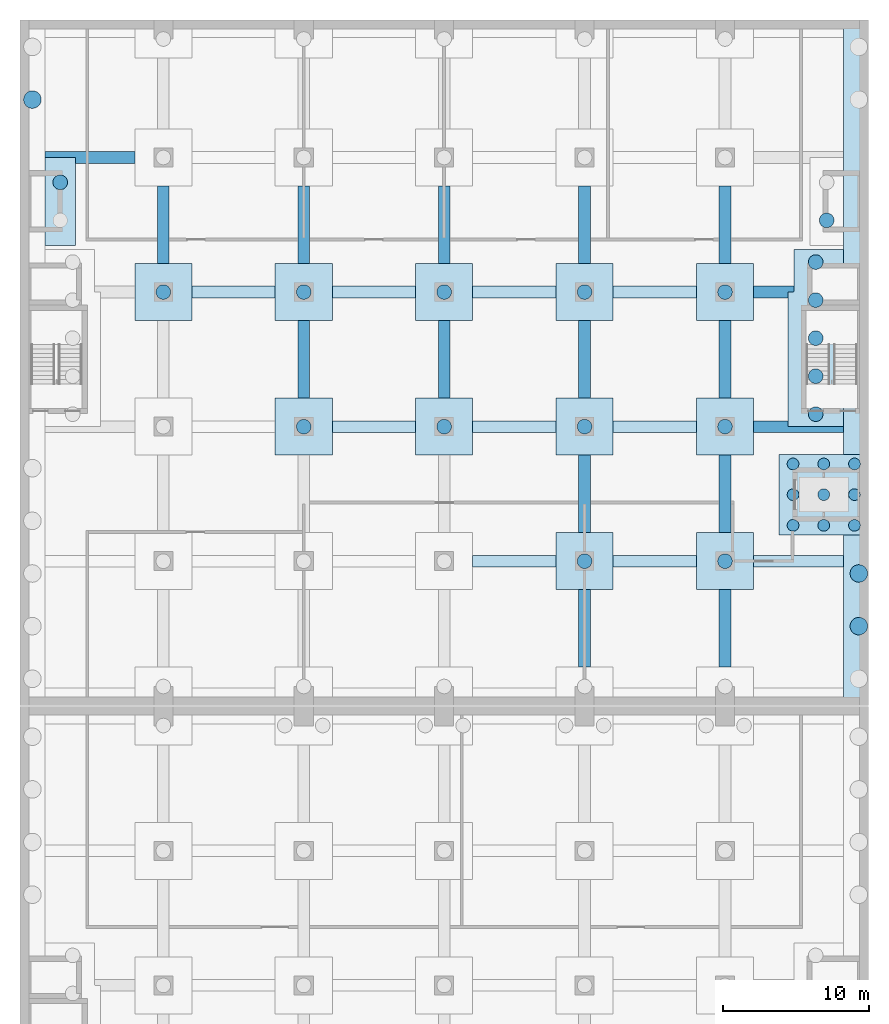
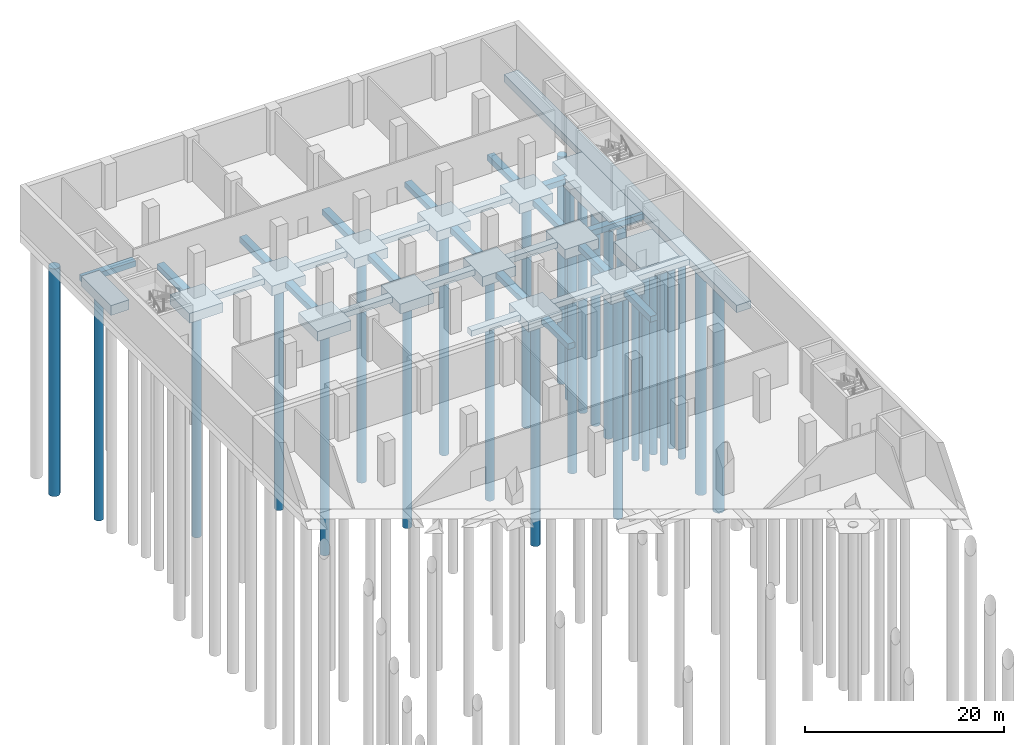
# One storey, part 7 of 33: 41 footings, 30 piles.
"""IFC4 building model written with IfcOpenShell, lengths in metres."""

from ifc_helpers import new_model, si_unit, direction, frame, origin, origin_2d, place, context, subcontext, project, spatial, polyline, circle, outline, extrude, material, layer, layer_set, material_profile, profile_set, type_object, element, save


model = new_model("IFC4")

# Units and contexts
model_context = context("Model", 3, precision=1e-05, world=origin(), true_north=direction((0.0, 1.0)))
body_context = subcontext(model_context, "Body", "Model", "MODEL_VIEW")
ifc_project = project(units=[si_unit("LENGTHUNIT", "METRE"), si_unit("AREAUNIT", "SQUARE_METRE"), si_unit("VOLUMEUNIT", "CUBIC_METRE"), si_unit("PLANEANGLEUNIT", "RADIAN"), si_unit("MASSUNIT", "GRAM", prefix="KILO")], contexts=[model_context])

# Site, building, storey
site_placement = place(None, origin())
site = spatial("IfcSite", under=ifc_project, at=site_placement, CompositionType="ELEMENT")
building_placement = place(site_placement, origin())
building = spatial("IfcBuilding", under=site, at=building_placement, Name="Nzadi Deep Aquarium and Research Tower", CompositionType="ELEMENT")
storey_placement = place(building_placement, frame((0.0, 0.0, -5.5)))
storey = spatial("IfcBuildingStorey", under=building, at=storey_placement, Name="B1", CompositionType="ELEMENT", Elevation=-5.5)

# Piles
ifc_material_1 = material(Name="Concrete C40/50", Category="concrete")
ifc_material_profile_1 = material_profile(ifc_material_1, circle(Radius=0.5, at=origin_2d()))
ifc_profile_set_1 = profile_set([ifc_material_profile_1], Name="Concrete C40/50")
pile_type_1 = type_object("IfcPileType", Name="Bored pile D1000", PredefinedType="BORED", material=ifc_profile_set_1)
for number, where, z_axis, x_axis, name in (
    (1, (38.39990234375, 104.0, -1.699951171875), (0.0, 0.0, -1.0), (1.0, 0.0, 0.0), "P-Z3-09-1"),
    (2, (48.0, 104.0, -1.699951171875), (0.0, 0.0, -1.0), (1.0, 0.0, 0.0), "P-Z3-10-1"),
    (3, (19.199951171875, 113.2001953125, -1.699951171875), (0.0, 0.0, -1.0), (1.0, 0.0, 0.0), "P-Z3-12-1"),
    (4, (28.800048828125, 113.2001953125, -1.699951171875), (0.0, 0.0, -1.0), (1.0, 0.0, 0.0), "P-Z3-13-1"),
    (5, (38.39990234375, 113.2001953125, -1.699951171875), (0.0, 0.0, -1.0), (1.0, 0.0, 0.0), "P-Z3-14-1"),
    (6, (48.0, 113.2001953125, -1.699951171875), (0.0, 0.0, -1.0), (1.0, 0.0, 0.0), "P-Z3-15-1"),
    (7, (54.199951171875, 114.050048828125, -1.699951171875), (0.0, 0.0, -1.0), (1.0, 0.0, 0.0), "P-Z3-17-1"),
    (8, (54.199951171875, 116.64990234375, -1.699951171875), (0.0, 0.0, -1.0), (1.0, 0.0, 0.0), "P-Z3-17-2"),
    (9, (54.199951171875, 119.25, -1.699951171875), (0.0, 0.0, -1.0), (1.0, 0.0, 0.0), "P-Z3-17-3"),
    (10, (54.199951171875, 121.85009765625, -1.699951171875), (0.0, 0.0, -1.0), (1.0, 0.0, 0.0), "P-Z3-17-4"),
    (11, (54.199951171875, 124.449951171875, -1.699951171875), (0.0, 0.0, -1.0), (1.0, 0.0, 0.0), "P-Z3-17-5"),
    (12, (9.60009765625, 122.400146484375, -1.699951171875), (0.0, 0.0, -1.0), (1.0, 0.0, 0.0), "P-Z3-18-1"),
    (13, (19.199951171875, 122.400146484375, -1.699951171875), (0.0, 0.0, -1.0), (1.0, 0.0, 0.0), "P-Z3-19-1"),
    (14, (28.800048828125, 122.400146484375, -1.699951171875), (0.0, 0.0, -1.0), (1.0, 0.0, 0.0), "P-Z3-20-1"),
    (15, (38.39990234375, 122.400146484375, -1.699951171875), (0.0, 0.0, -1.0), (1.0, 0.0, 0.0), "P-Z3-21-1"),
    (16, (48.0, 122.400146484375, -1.699951171875), (0.0, 0.0, -1.0), (1.0, 0.0, 0.0), "P-Z3-22-1"),
    (17, (2.550048828125, 129.89990234375, -1.699951171875), (0.0, 0.0, -1.0), (1.0, 0.0, 0.0), "P-Z3-23-2"),
    (18, (54.949951171875, 127.300048828125, -1.699951171875), (0.0, 0.0, -1.0), (1.0, 0.0, 0.0), "P-Z3-24-1"),
):
    element("IfcPile", number, at=place(storey_placement, frame(where, z_axis=z_axis, x_axis=x_axis)), inside=storey, type_object=pile_type_1, Name=name, PredefinedType="BORED", context=body_context, shape_type="SweptSolid", body=[
        extrude(circle(Radius=0.5, at=origin_2d()), origin(), (0.0, 0.0, 1.0), 28.0),
    ])
ifc_material_2 = material(Name="Concrete C40/50", Category="concrete")
ifc_material_profile_2 = material_profile(ifc_material_2, circle(Radius=0.60009765625, at=origin_2d()))
ifc_profile_set_2 = profile_set([ifc_material_profile_2], Name="Concrete C40/50")
pile_type_2 = type_object("IfcPileType", Name="Bored pile D1200", PredefinedType="BORED", material=ifc_profile_set_2)
for number, where, z_axis, x_axis, name in (
    (19, (0.64990234375, 135.56005859375, -1.39990234375), (0.0, 0.0, -1.0), (1.0, 0.0, 0.0), "P-Z3-Z3-W-6"),
    (20, (57.14990234375, 99.56005859375, -1.39990234375), (0.0, 0.0, -1.0), (1.0, 0.0, 0.0), "P-Z3-Z3-E-2"),
    (21, (57.14990234375, 103.159912109375, -1.39990234375), (0.0, 0.0, -1.0), (1.0, 0.0, 0.0), "P-Z3-Z3-E-3"),
):
    element("IfcPile", number, at=place(storey_placement, frame(where, z_axis=z_axis, x_axis=x_axis)), inside=storey, type_object=pile_type_2, Name=name, PredefinedType="BORED", context=body_context, shape_type="SweptSolid", body=[
        extrude(circle(Radius=0.60009765625, at=origin_2d()), origin(), (0.0, 0.0, 1.0), 28.0),
    ])
ifc_material_3 = material(Name="Concrete C40/50", Category="concrete")
ifc_material_profile_3 = material_profile(ifc_material_3, circle(Radius=0.39990234375, at=origin_2d()))
ifc_profile_set_3 = profile_set([ifc_material_profile_3], Name="Concrete C40/50")
pile_type_3 = type_object("IfcPileType", Name="Bored pile D800", PredefinedType="BORED", material=ifc_profile_set_3)
for number, where, z_axis, x_axis, name in (
    (22, (52.64990234375, 106.449951171875, -3.0), (0.0, 0.0, -1.0), (1.0, 0.0, 0.0), "P-Z3-GL2-1"),
    (23, (52.64990234375, 108.550048828125, -3.0), (0.0, 0.0, -1.0), (1.0, 0.0, 0.0), "P-Z3-GL2-2"),
    (24, (52.64990234375, 110.64990234375, -3.0), (0.0, 0.0, -1.0), (1.0, 0.0, 0.0), "P-Z3-GL2-3"),
    (25, (54.75, 106.449951171875, -3.0), (0.0, 0.0, -1.0), (1.0, 0.0, 0.0), "P-Z3-GL2-4"),
    (26, (54.75, 108.550048828125, -3.0), (0.0, 0.0, -1.0), (1.0, 0.0, 0.0), "P-Z3-GL2-5"),
    (27, (54.75, 110.64990234375, -3.0), (0.0, 0.0, -1.0), (1.0, 0.0, 0.0), "P-Z3-GL2-6"),
    (28, (56.85009765625, 106.449951171875, -3.0), (0.0, 0.0, -1.0), (1.0, 0.0, 0.0), "P-Z3-GL2-7"),
    (29, (56.85009765625, 108.550048828125, -3.0), (0.0, 0.0, -1.0), (1.0, 0.0, 0.0), "P-Z3-GL2-8"),
    (30, (56.85009765625, 110.64990234375, -3.0), (0.0, 0.0, -1.0), (1.0, 0.0, 0.0), "P-Z3-GL2-9"),
):
    element("IfcPile", number, at=place(storey_placement, frame(where, z_axis=z_axis, x_axis=x_axis)), inside=storey, type_object=pile_type_3, Name=name, PredefinedType="BORED", context=body_context, shape_type="SweptSolid", body=[
        extrude(circle(Radius=0.39990234375, at=origin_2d()), origin(), (0.0, 0.0, 1.0), 24.0),
    ])

# Footings
ifc_material_4 = material(Name="Concrete C40/50", Category="concrete")
ifc_layer_1 = layer(ifc_material_4, 0.699951171875)
ifc_layer_set_1 = layer_set([ifc_layer_1], Name="Concrete C40/50")
footing_type_1 = type_object("IfcFootingType", Name="RC ground beam 700", PredefinedType="FOOTING_BEAM", material=ifc_layer_set_1)
footing_1_placement = place(storey_placement, frame((0.0, 0.0, -1.300048828125)))
element("IfcFooting", 31, at=footing_1_placement, inside=storey, type_object=footing_type_1, Name="SF-Z3-TX14-4", PredefinedType="FOOTING_BEAM", context=body_context, shape_type="SweptSolid", body=[
    extrude(outline(polyline([(36.449951171875, 104.39990234375), (30.75, 104.39990234375), (30.75, 103.60009765625), (36.449951171875, 103.60009765625), (36.449951171875, 104.39990234375)])), origin(), (0.0, 0.0, 1.0), 0.699951171875),
])
footing_2_placement = place(storey_placement, frame((0.0, 0.0, -1.300048828125)))
element("IfcFooting", 32, at=footing_2_placement, inside=storey, type_object=footing_type_1, Name="SF-Z3-TX14-5", PredefinedType="FOOTING_BEAM", context=body_context, shape_type="SweptSolid", body=[
    extrude(outline(polyline([(46.050048828125, 104.39990234375), (40.35009765625, 104.39990234375), (40.35009765625, 103.60009765625), (46.050048828125, 103.60009765625), (46.050048828125, 104.39990234375)])), origin(), (0.0, 0.0, 1.0), 0.699951171875),
])
footing_3_placement = place(storey_placement, frame((0.0, 0.0, -1.300048828125)))
element("IfcFooting", 33, at=footing_3_placement, inside=storey, type_object=footing_type_1, Name="SF-Z3-TX14-6", PredefinedType="FOOTING_BEAM", context=body_context, shape_type="SweptSolid", body=[
    extrude(outline(polyline([(56.10009765625, 103.60009765625), (56.10009765625, 104.39990234375), (49.949951171875, 104.39990234375), (49.949951171875, 103.60009765625), (56.10009765625, 103.60009765625)])), origin(), (0.0, 0.0, 1.0), 0.699951171875),
])
footing_4_placement = place(storey_placement, frame((0.0, 0.0, -1.300048828125)))
element("IfcFooting", 34, at=footing_4_placement, inside=storey, type_object=footing_type_1, Name="SF-Z3-TX15-3", PredefinedType="FOOTING_BEAM", context=body_context, shape_type="SweptSolid", body=[
    extrude(outline(polyline([(26.85009765625, 113.60009765625), (21.14990234375, 113.60009765625), (21.14990234375, 112.800048828125), (26.85009765625, 112.800048828125), (26.85009765625, 113.60009765625)])), origin(), (0.0, 0.0, 1.0), 0.699951171875),
])
footing_5_placement = place(storey_placement, frame((0.0, 0.0, -1.300048828125)))
element("IfcFooting", 35, at=footing_5_placement, inside=storey, type_object=footing_type_1, Name="SF-Z3-TX15-4", PredefinedType="FOOTING_BEAM", context=body_context, shape_type="SweptSolid", body=[
    extrude(outline(polyline([(36.449951171875, 113.60009765625), (30.75, 113.60009765625), (30.75, 112.800048828125), (36.449951171875, 112.800048828125), (36.449951171875, 113.60009765625)])), origin(), (0.0, 0.0, 1.0), 0.699951171875),
])
footing_6_placement = place(storey_placement, frame((0.0, 0.0, -1.300048828125)))
element("IfcFooting", 36, at=footing_6_placement, inside=storey, type_object=footing_type_1, Name="SF-Z3-TX15-5", PredefinedType="FOOTING_BEAM", context=body_context, shape_type="SweptSolid", body=[
    extrude(outline(polyline([(46.050048828125, 113.60009765625), (40.35009765625, 113.60009765625), (40.35009765625, 112.800048828125), (46.050048828125, 112.800048828125), (46.050048828125, 113.60009765625)])), origin(), (0.0, 0.0, 1.0), 0.699951171875),
])
footing_7_placement = place(storey_placement, frame((0.0, 0.0, -1.300048828125)))
element("IfcFooting", 37, at=footing_7_placement, inside=storey, type_object=footing_type_1, Name="SF-Z3-TX15-6", PredefinedType="FOOTING_BEAM", context=body_context, shape_type="SweptSolid", body=[
    extrude(outline(polyline([(56.10009765625, 112.800048828125), (56.10009765625, 113.201171875), (56.099853515625, 113.199951171875), (56.098876953125, 113.199951171875), (52.30126953125, 113.199951171875), (52.300048828125, 113.199951171875), (52.300048828125, 113.201171875), (52.300048828125, 113.60009765625), (49.949951171875, 113.60009765625), (49.949951171875, 112.800048828125), (56.10009765625, 112.800048828125)])), origin(), (0.0, 0.0, 1.0), 0.699951171875),
])
footing_8_placement = place(storey_placement, frame((0.0, 0.0, -1.300048828125)))
element("IfcFooting", 38, at=footing_8_placement, inside=storey, type_object=footing_type_1, Name="SF-Z3-TX16-2", PredefinedType="FOOTING_BEAM", context=body_context, shape_type="SweptSolid", body=[
    extrude(outline(polyline([(17.25, 122.800048828125), (11.550048828125, 122.800048828125), (11.550048828125, 122.0), (17.25, 122.0), (17.25, 122.800048828125)])), origin(), (0.0, 0.0, 1.0), 0.699951171875),
])
footing_9_placement = place(storey_placement, frame((0.0, 0.0, -1.300048828125)))
element("IfcFooting", 39, at=footing_9_placement, inside=storey, type_object=footing_type_1, Name="SF-Z3-TX16-3", PredefinedType="FOOTING_BEAM", context=body_context, shape_type="SweptSolid", body=[
    extrude(outline(polyline([(26.85009765625, 122.800048828125), (21.14990234375, 122.800048828125), (21.14990234375, 122.0), (26.85009765625, 122.0), (26.85009765625, 122.800048828125)])), origin(), (0.0, 0.0, 1.0), 0.699951171875),
])
footing_10_placement = place(storey_placement, frame((0.0, 0.0, -1.300048828125)))
element("IfcFooting", 40, at=footing_10_placement, inside=storey, type_object=footing_type_1, Name="SF-Z3-TX16-4", PredefinedType="FOOTING_BEAM", context=body_context, shape_type="SweptSolid", body=[
    extrude(outline(polyline([(36.449951171875, 122.800048828125), (30.75, 122.800048828125), (30.75, 122.0), (36.449951171875, 122.0), (36.449951171875, 122.800048828125)])), origin(), (0.0, 0.0, 1.0), 0.699951171875),
])
footing_11_placement = place(storey_placement, frame((0.0, 0.0, -1.300048828125)))
element("IfcFooting", 41, at=footing_11_placement, inside=storey, type_object=footing_type_1, Name="SF-Z3-TX16-5", PredefinedType="FOOTING_BEAM", context=body_context, shape_type="SweptSolid", body=[
    extrude(outline(polyline([(46.050048828125, 122.800048828125), (40.35009765625, 122.800048828125), (40.35009765625, 122.0), (46.050048828125, 122.0), (46.050048828125, 122.800048828125)])), origin(), (0.0, 0.0, 1.0), 0.699951171875),
])
footing_12_placement = place(storey_placement, frame((0.0, 0.0, -1.300048828125)))
element("IfcFooting", 42, at=footing_12_placement, inside=storey, type_object=footing_type_1, Name="SF-Z3-TX16-6", PredefinedType="FOOTING_BEAM", context=body_context, shape_type="SweptSolid", body=[
    extrude(outline(polyline([(52.699951171875, 122.800048828125), (49.949951171875, 122.800048828125), (49.949951171875, 122.0), (52.300048828125, 122.0), (52.300048828125, 122.398681640625), (52.300048828125, 122.39990234375), (52.30126953125, 122.39990234375), (52.64990234375, 122.39990234375), (52.65478515625, 122.400146484375), (52.65966796875, 122.40087890625), (52.66455078125, 122.402099609375), (52.669189453125, 122.40380859375), (52.673583984375, 122.406005859375), (52.677734375, 122.408447265625), (52.681640625, 122.411376953125), (52.685302734375, 122.41455078125), (52.688720703125, 122.418212890625), (52.691650390625, 122.422119140625), (52.694091796875, 122.426513671875), (52.6962890625, 122.430908203125), (52.69775390625, 122.435546875), (52.698974609375, 122.440185546875), (52.69970703125, 122.445068359375), (52.699951171875, 122.449951171875), (52.699951171875, 122.800048828125)])), origin(), (0.0, 0.0, 1.0), 0.699951171875),
])
footing_13_placement = place(storey_placement, frame((0.0, 0.0, -1.300048828125)))
element("IfcFooting", 43, at=footing_13_placement, inside=storey, type_object=footing_type_1, Name="SF-Z3-TX17-1", PredefinedType="FOOTING_BEAM", context=body_context, shape_type="SweptSolid", body=[
    extrude(outline(polyline([(7.64990234375, 132.0), (1.5, 132.0), (1.5, 131.598876953125), (1.5, 131.599853515625), (1.501220703125, 131.60009765625), (3.598876953125, 131.60009765625), (3.599853515625, 131.599853515625), (3.60009765625, 131.598876953125), (3.60009765625, 131.199951171875), (7.64990234375, 131.199951171875), (7.64990234375, 132.0)])), origin(), (0.0, 0.0, 1.0), 0.699951171875),
])
footing_14_placement = place(storey_placement, frame((0.0, 0.0, -1.300048828125)))
element("IfcFooting", 44, at=footing_14_placement, inside=storey, type_object=footing_type_1, Name="SF-Z3-TYB-4", PredefinedType="FOOTING_BEAM", context=body_context, shape_type="SweptSolid", body=[
    extrude(outline(polyline([(10.0, 124.35009765625), (10.0, 129.64990234375), (9.199951171875, 129.64990234375), (9.199951171875, 124.35009765625), (10.0, 124.35009765625)])), origin(), (0.0, 0.0, 1.0), 0.699951171875),
])
footing_15_placement = place(storey_placement, frame((0.0, 0.0, -1.300048828125)))
element("IfcFooting", 45, at=footing_15_placement, inside=storey, type_object=footing_type_1, Name="SF-Z3-TYC-3", PredefinedType="FOOTING_BEAM", context=body_context, shape_type="SweptSolid", body=[
    extrude(outline(polyline([(19.60009765625, 115.14990234375), (19.60009765625, 120.449951171875), (18.800048828125, 120.449951171875), (18.800048828125, 115.14990234375), (19.60009765625, 115.14990234375)])), origin(), (0.0, 0.0, 1.0), 0.699951171875),
])
footing_16_placement = place(storey_placement, frame((0.0, 0.0, -1.300048828125)))
element("IfcFooting", 46, at=footing_16_placement, inside=storey, type_object=footing_type_1, Name="SF-Z3-TYC-4", PredefinedType="FOOTING_BEAM", context=body_context, shape_type="SweptSolid", body=[
    extrude(outline(polyline([(19.60009765625, 124.35009765625), (19.60009765625, 129.64990234375), (18.800048828125, 129.64990234375), (18.800048828125, 124.35009765625), (19.60009765625, 124.35009765625)])), origin(), (0.0, 0.0, 1.0), 0.699951171875),
])
footing_17_placement = place(storey_placement, frame((0.0, 0.0, -1.300048828125)))
element("IfcFooting", 47, at=footing_17_placement, inside=storey, type_object=footing_type_1, Name="SF-Z3-TYD-3", PredefinedType="FOOTING_BEAM", context=body_context, shape_type="SweptSolid", body=[
    extrude(outline(polyline([(29.199951171875, 115.14990234375), (29.199951171875, 120.449951171875), (28.39990234375, 120.449951171875), (28.39990234375, 115.14990234375), (29.199951171875, 115.14990234375)])), origin(), (0.0, 0.0, 1.0), 0.699951171875),
])
footing_18_placement = place(storey_placement, frame((0.0, 0.0, -1.300048828125)))
element("IfcFooting", 48, at=footing_18_placement, inside=storey, type_object=footing_type_1, Name="SF-Z3-TYD-4", PredefinedType="FOOTING_BEAM", context=body_context, shape_type="SweptSolid", body=[
    extrude(outline(polyline([(29.199951171875, 124.35009765625), (29.199951171875, 129.64990234375), (28.39990234375, 129.64990234375), (28.39990234375, 124.35009765625), (29.199951171875, 124.35009765625)])), origin(), (0.0, 0.0, 1.0), 0.699951171875),
])
footing_19_placement = place(storey_placement, frame((0.0, 0.0, -1.300048828125)))
element("IfcFooting", 49, at=footing_19_placement, inside=storey, type_object=footing_type_1, Name="SF-Z3-TYE-1", PredefinedType="FOOTING_BEAM", context=body_context, shape_type="SweptSolid", body=[
    extrude(outline(polyline([(38.800048828125, 96.75), (38.800048828125, 102.050048828125), (38.0, 102.050048828125), (38.0, 96.75), (38.800048828125, 96.75)])), origin(), (0.0, 0.0, 1.0), 0.699951171875),
])
footing_20_placement = place(storey_placement, frame((0.0, 0.0, -1.300048828125)))
element("IfcFooting", 50, at=footing_20_placement, inside=storey, type_object=footing_type_1, Name="SF-Z3-TYE-2", PredefinedType="FOOTING_BEAM", context=body_context, shape_type="SweptSolid", body=[
    extrude(outline(polyline([(38.800048828125, 105.949951171875), (38.800048828125, 111.25), (38.0, 111.25), (38.0, 105.949951171875), (38.800048828125, 105.949951171875)])), origin(), (0.0, 0.0, 1.0), 0.699951171875),
])
footing_21_placement = place(storey_placement, frame((0.0, 0.0, -1.300048828125)))
element("IfcFooting", 51, at=footing_21_placement, inside=storey, type_object=footing_type_1, Name="SF-Z3-TYE-3", PredefinedType="FOOTING_BEAM", context=body_context, shape_type="SweptSolid", body=[
    extrude(outline(polyline([(38.800048828125, 115.14990234375), (38.800048828125, 120.449951171875), (38.0, 120.449951171875), (38.0, 115.14990234375), (38.800048828125, 115.14990234375)])), origin(), (0.0, 0.0, 1.0), 0.699951171875),
])
footing_22_placement = place(storey_placement, frame((0.0, 0.0, -1.300048828125)))
element("IfcFooting", 52, at=footing_22_placement, inside=storey, type_object=footing_type_1, Name="SF-Z3-TYE-4", PredefinedType="FOOTING_BEAM", context=body_context, shape_type="SweptSolid", body=[
    extrude(outline(polyline([(38.800048828125, 124.35009765625), (38.800048828125, 129.64990234375), (38.0, 129.64990234375), (38.0, 124.35009765625), (38.800048828125, 124.35009765625)])), origin(), (0.0, 0.0, 1.0), 0.699951171875),
])
footing_23_placement = place(storey_placement, frame((0.0, 0.0, -1.300048828125)))
element("IfcFooting", 53, at=footing_23_placement, inside=storey, type_object=footing_type_1, Name="SF-Z3-TYF-1", PredefinedType="FOOTING_BEAM", context=body_context, shape_type="SweptSolid", body=[
    extrude(outline(polyline([(48.39990234375, 96.75), (48.39990234375, 102.050048828125), (47.60009765625, 102.050048828125), (47.60009765625, 96.75), (48.39990234375, 96.75)])), origin(), (0.0, 0.0, 1.0), 0.699951171875),
])
footing_24_placement = place(storey_placement, frame((0.0, 0.0, -1.300048828125)))
element("IfcFooting", 54, at=footing_24_placement, inside=storey, type_object=footing_type_1, Name="SF-Z3-TYF-2", PredefinedType="FOOTING_BEAM", context=body_context, shape_type="SweptSolid", body=[
    extrude(outline(polyline([(48.39990234375, 105.949951171875), (48.39990234375, 111.25), (47.60009765625, 111.25), (47.60009765625, 105.949951171875), (48.39990234375, 105.949951171875)])), origin(), (0.0, 0.0, 1.0), 0.699951171875),
])
footing_25_placement = place(storey_placement, frame((0.0, 0.0, -1.300048828125)))
element("IfcFooting", 55, at=footing_25_placement, inside=storey, type_object=footing_type_1, Name="SF-Z3-TYF-3", PredefinedType="FOOTING_BEAM", context=body_context, shape_type="SweptSolid", body=[
    extrude(outline(polyline([(48.39990234375, 115.14990234375), (48.39990234375, 120.449951171875), (47.60009765625, 120.449951171875), (47.60009765625, 115.14990234375), (48.39990234375, 115.14990234375)])), origin(), (0.0, 0.0, 1.0), 0.699951171875),
])
footing_26_placement = place(storey_placement, frame((0.0, 0.0, -1.300048828125)))
element("IfcFooting", 56, at=footing_26_placement, inside=storey, type_object=footing_type_1, Name="SF-Z3-TYF-4", PredefinedType="FOOTING_BEAM", context=body_context, shape_type="SweptSolid", body=[
    extrude(outline(polyline([(48.39990234375, 124.35009765625), (48.39990234375, 129.64990234375), (47.60009765625, 129.64990234375), (47.60009765625, 124.35009765625), (48.39990234375, 124.35009765625)])), origin(), (0.0, 0.0, 1.0), 0.699951171875),
])
ifc_material_5 = material(Name="Concrete C40/50", Category="concrete")
ifc_layer_2 = layer(ifc_material_5, 1.5)
ifc_layer_set_2 = layer_set([ifc_layer_2], Name="Concrete C40/50")
footing_type_2 = type_object("IfcFootingType", Name="RC lift pit raft 1500", PredefinedType="PAD_FOOTING", material=ifc_layer_set_2)
footing_27_placement = place(storey_placement, frame((0.0, 0.0, -3.10009765625)))
element("IfcFooting", 57, at=footing_27_placement, inside=storey, type_object=footing_type_2, Name="PF-GL2", PredefinedType="PAD_FOOTING", context=body_context, shape_type="SweptSolid", body=[
    extrude(outline(polyline([(51.699951171875, 105.800048828125), (57.799560546875, 105.800048828125), (57.799560546875, 111.300048828125), (51.699951171875, 111.300048828125), (51.699951171875, 105.800048828125)])), origin(), (0.0, 0.0, 1.0), 1.5),
])
ifc_material_6 = material(Name="Concrete C40/50", Category="concrete")
ifc_layer_3 = layer(ifc_material_6, 1.199951171875)
ifc_layer_set_3 = layer_set([ifc_layer_3], Name="Concrete C40/50")
footing_type_3 = type_object("IfcFootingType", Name="RC pile cap 1200", PredefinedType="PILE_CAP", material=ifc_layer_set_3)
footing_28_placement = place(storey_placement, frame((0.0, 0.0, -1.800048828125)))
element("IfcFooting", 58, at=footing_28_placement, inside=storey, type_object=footing_type_3, Name="PC-Z3-09", PredefinedType="PILE_CAP", context=body_context, shape_type="SweptSolid", body=[
    extrude(outline(polyline([(36.449951171875, 105.94873046875), (36.449951171875, 102.05126953125), (36.449951171875, 102.050048828125), (36.451171875, 102.050048828125), (40.348876953125, 102.050048828125), (40.349853515625, 102.050048828125), (40.35009765625, 102.05126953125), (40.35009765625, 105.94873046875), (40.349853515625, 105.949951171875), (40.348876953125, 105.949951171875), (36.451171875, 105.949951171875), (36.449951171875, 105.949951171875), (36.449951171875, 105.94873046875)])), origin(), (0.0, 0.0, 1.0), 1.199951171875),
])
footing_29_placement = place(storey_placement, frame((0.0, 0.0, -1.800048828125)))
element("IfcFooting", 59, at=footing_29_placement, inside=storey, type_object=footing_type_3, Name="PC-Z3-10", PredefinedType="PILE_CAP", context=body_context, shape_type="SweptSolid", body=[
    extrude(outline(polyline([(46.050048828125, 105.94873046875), (46.050048828125, 102.05126953125), (46.050048828125, 102.050048828125), (46.05126953125, 102.050048828125), (49.94873046875, 102.050048828125), (49.949951171875, 102.050048828125), (49.949951171875, 102.05126953125), (49.949951171875, 105.94873046875), (49.949951171875, 105.949951171875), (49.94873046875, 105.949951171875), (46.05126953125, 105.949951171875), (46.050048828125, 105.949951171875), (46.050048828125, 105.94873046875)])), origin(), (0.0, 0.0, 1.0), 1.199951171875),
])
footing_30_placement = place(storey_placement, frame((0.0, 0.0, -1.800048828125)))
element("IfcFooting", 60, at=footing_30_placement, inside=storey, type_object=footing_type_3, Name="PC-Z3-12", PredefinedType="PILE_CAP", context=body_context, shape_type="SweptSolid", body=[
    extrude(outline(polyline([(17.25, 115.148681640625), (17.25, 111.251220703125), (17.25, 111.25), (17.251220703125, 111.25), (21.148681640625, 111.25), (21.14990234375, 111.25), (21.14990234375, 111.251220703125), (21.14990234375, 115.148681640625), (21.14990234375, 115.14990234375), (21.148681640625, 115.14990234375), (17.251220703125, 115.14990234375), (17.25, 115.14990234375), (17.25, 115.148681640625)])), origin(), (0.0, 0.0, 1.0), 1.199951171875),
])
footing_31_placement = place(storey_placement, frame((0.0, 0.0, -1.800048828125)))
element("IfcFooting", 61, at=footing_31_placement, inside=storey, type_object=footing_type_3, Name="PC-Z3-13", PredefinedType="PILE_CAP", context=body_context, shape_type="SweptSolid", body=[
    extrude(outline(polyline([(26.85009765625, 115.148681640625), (26.85009765625, 111.251220703125), (26.85009765625, 111.25), (26.851318359375, 111.25), (30.748779296875, 111.25), (30.75, 111.25), (30.75, 111.251220703125), (30.75, 115.148681640625), (30.75, 115.14990234375), (30.748779296875, 115.14990234375), (26.851318359375, 115.14990234375), (26.85009765625, 115.14990234375), (26.85009765625, 115.148681640625)])), origin(), (0.0, 0.0, 1.0), 1.199951171875),
])
footing_32_placement = place(storey_placement, frame((0.0, 0.0, -1.800048828125)))
element("IfcFooting", 62, at=footing_32_placement, inside=storey, type_object=footing_type_3, Name="PC-Z3-14", PredefinedType="PILE_CAP", context=body_context, shape_type="SweptSolid", body=[
    extrude(outline(polyline([(36.449951171875, 115.148681640625), (36.449951171875, 111.251220703125), (36.449951171875, 111.25), (36.451171875, 111.25), (40.348876953125, 111.25), (40.349853515625, 111.25), (40.35009765625, 111.251220703125), (40.35009765625, 115.148681640625), (40.349853515625, 115.14990234375), (40.348876953125, 115.14990234375), (36.451171875, 115.14990234375), (36.449951171875, 115.14990234375), (36.449951171875, 115.148681640625)])), origin(), (0.0, 0.0, 1.0), 1.199951171875),
])
footing_33_placement = place(storey_placement, frame((0.0, 0.0, -1.800048828125)))
element("IfcFooting", 63, at=footing_33_placement, inside=storey, type_object=footing_type_3, Name="PC-Z3-15", PredefinedType="PILE_CAP", context=body_context, shape_type="SweptSolid", body=[
    extrude(outline(polyline([(46.050048828125, 115.148681640625), (46.050048828125, 111.251220703125), (46.050048828125, 111.25), (46.05126953125, 111.25), (49.94873046875, 111.25), (49.949951171875, 111.25), (49.949951171875, 111.251220703125), (49.949951171875, 115.148681640625), (49.949951171875, 115.14990234375), (49.94873046875, 115.14990234375), (46.05126953125, 115.14990234375), (46.050048828125, 115.14990234375), (46.050048828125, 115.148681640625)])), origin(), (0.0, 0.0, 1.0), 1.199951171875),
])
footing_34_placement = place(storey_placement, frame((0.0, 0.0, -1.800048828125)))
element("IfcFooting", 64, at=footing_34_placement, inside=storey, type_object=footing_type_3, Name="PC-Z3-17", PredefinedType="PILE_CAP", context=body_context, shape_type="SweptSolid", body=[
    extrude(outline(polyline([(52.300048828125, 122.398681640625), (52.300048828125, 113.201171875), (52.300048828125, 113.199951171875), (52.30126953125, 113.199951171875), (56.098876953125, 113.199951171875), (56.099853515625, 113.199951171875), (56.10009765625, 113.201171875), (56.10009765625, 125.298828125), (56.099853515625, 125.300048828125), (56.098876953125, 125.300048828125), (52.701171875, 125.300048828125), (52.699951171875, 125.300048828125), (52.699951171875, 125.298828125), (52.699951171875, 122.449951171875), (52.69970703125, 122.445068359375), (52.698974609375, 122.440185546875), (52.69775390625, 122.435546875), (52.6962890625, 122.430908203125), (52.694091796875, 122.426513671875), (52.691650390625, 122.422119140625), (52.688720703125, 122.418212890625), (52.685302734375, 122.41455078125), (52.681640625, 122.411376953125), (52.677734375, 122.408447265625), (52.673583984375, 122.406005859375), (52.669189453125, 122.40380859375), (52.66455078125, 122.402099609375), (52.65966796875, 122.40087890625), (52.65478515625, 122.400146484375), (52.64990234375, 122.39990234375), (52.30126953125, 122.39990234375), (52.300048828125, 122.39990234375), (52.300048828125, 122.398681640625)])), origin(), (0.0, 0.0, 1.0), 1.199951171875),
])
footing_35_placement = place(storey_placement, frame((0.0, 0.0, -1.800048828125)))
element("IfcFooting", 65, at=footing_35_placement, inside=storey, type_object=footing_type_3, Name="PC-Z3-18", PredefinedType="PILE_CAP", context=body_context, shape_type="SweptSolid", body=[
    extrude(outline(polyline([(7.64990234375, 124.348876953125), (7.64990234375, 120.451171875), (7.650146484375, 120.449951171875), (7.651123046875, 120.449951171875), (11.548828125, 120.449951171875), (11.550048828125, 120.449951171875), (11.550048828125, 120.451171875), (11.550048828125, 124.348876953125), (11.550048828125, 124.349853515625), (11.548828125, 124.35009765625), (7.651123046875, 124.35009765625), (7.650146484375, 124.349853515625), (7.64990234375, 124.348876953125)])), origin(), (0.0, 0.0, 1.0), 1.199951171875),
])
footing_36_placement = place(storey_placement, frame((0.0, 0.0, -1.800048828125)))
element("IfcFooting", 66, at=footing_36_placement, inside=storey, type_object=footing_type_3, Name="PC-Z3-19", PredefinedType="PILE_CAP", context=body_context, shape_type="SweptSolid", body=[
    extrude(outline(polyline([(17.25, 124.348876953125), (17.25, 120.451171875), (17.25, 120.449951171875), (17.251220703125, 120.449951171875), (21.148681640625, 120.449951171875), (21.14990234375, 120.449951171875), (21.14990234375, 120.451171875), (21.14990234375, 124.348876953125), (21.14990234375, 124.349853515625), (21.148681640625, 124.35009765625), (17.251220703125, 124.35009765625), (17.25, 124.349853515625), (17.25, 124.348876953125)])), origin(), (0.0, 0.0, 1.0), 1.199951171875),
])
footing_37_placement = place(storey_placement, frame((0.0, 0.0, -1.800048828125)))
element("IfcFooting", 67, at=footing_37_placement, inside=storey, type_object=footing_type_3, Name="PC-Z3-20", PredefinedType="PILE_CAP", context=body_context, shape_type="SweptSolid", body=[
    extrude(outline(polyline([(26.85009765625, 124.348876953125), (26.85009765625, 120.451171875), (26.85009765625, 120.449951171875), (26.851318359375, 120.449951171875), (30.748779296875, 120.449951171875), (30.75, 120.449951171875), (30.75, 120.451171875), (30.75, 124.348876953125), (30.75, 124.349853515625), (30.748779296875, 124.35009765625), (26.851318359375, 124.35009765625), (26.85009765625, 124.349853515625), (26.85009765625, 124.348876953125)])), origin(), (0.0, 0.0, 1.0), 1.199951171875),
])
footing_38_placement = place(storey_placement, frame((0.0, 0.0, -1.800048828125)))
element("IfcFooting", 68, at=footing_38_placement, inside=storey, type_object=footing_type_3, Name="PC-Z3-21", PredefinedType="PILE_CAP", context=body_context, shape_type="SweptSolid", body=[
    extrude(outline(polyline([(36.449951171875, 124.348876953125), (36.449951171875, 120.451171875), (36.449951171875, 120.449951171875), (36.451171875, 120.449951171875), (40.348876953125, 120.449951171875), (40.349853515625, 120.449951171875), (40.35009765625, 120.451171875), (40.35009765625, 124.348876953125), (40.349853515625, 124.349853515625), (40.348876953125, 124.35009765625), (36.451171875, 124.35009765625), (36.449951171875, 124.349853515625), (36.449951171875, 124.348876953125)])), origin(), (0.0, 0.0, 1.0), 1.199951171875),
])
footing_39_placement = place(storey_placement, frame((0.0, 0.0, -1.800048828125)))
element("IfcFooting", 69, at=footing_39_placement, inside=storey, type_object=footing_type_3, Name="PC-Z3-22", PredefinedType="PILE_CAP", context=body_context, shape_type="SweptSolid", body=[
    extrude(outline(polyline([(46.050048828125, 124.348876953125), (46.050048828125, 120.451171875), (46.050048828125, 120.449951171875), (46.05126953125, 120.449951171875), (49.94873046875, 120.449951171875), (49.949951171875, 120.449951171875), (49.949951171875, 120.451171875), (49.949951171875, 124.348876953125), (49.949951171875, 124.349853515625), (49.94873046875, 124.35009765625), (46.05126953125, 124.35009765625), (46.050048828125, 124.349853515625), (46.050048828125, 124.348876953125)])), origin(), (0.0, 0.0, 1.0), 1.199951171875),
])
footing_40_placement = place(storey_placement, frame((0.0, 0.0, -1.800048828125)))
element("IfcFooting", 70, at=footing_40_placement, inside=storey, type_object=footing_type_3, Name="PC-Z3-23", PredefinedType="PILE_CAP", context=body_context, shape_type="SweptSolid", body=[
    extrude(outline(polyline([(3.598876953125, 131.60009765625), (1.501220703125, 131.60009765625), (1.5, 131.599853515625), (1.5, 131.598876953125), (1.5, 125.601318359375), (1.5, 125.60009765625), (1.501220703125, 125.60009765625), (3.598876953125, 125.60009765625), (3.599853515625, 125.60009765625), (3.60009765625, 125.601318359375), (3.60009765625, 131.598876953125), (3.599853515625, 131.599853515625), (3.598876953125, 131.60009765625)])), origin(), (0.0, 0.0, 1.0), 1.199951171875),
])
ifc_material_7 = material(Name="Concrete C40/50", Category="concrete")
ifc_layer_4 = layer(ifc_material_7, 0.89990234375)
ifc_layer_set_4 = layer_set([ifc_layer_4], Name="Concrete C40/50")
footing_type_4 = type_object("IfcFootingType", Name="RC strip footing 900", PredefinedType="STRIP_FOOTING", material=ifc_layer_set_4)
footing_41_placement = place(storey_placement, frame((0.0, 0.0, -1.5)))
element("IfcFooting", 71, at=footing_41_placement, inside=storey, type_object=footing_type_4, Name="SF-Z3-E", PredefinedType="STRIP_FOOTING", context=body_context, shape_type="SweptSolid", body=[
    extrude(outline(polyline([(57.799560546875, 94.1201171875), (57.799560546875, 141.0), (56.10009765625, 141.0), (56.10009765625, 94.1201171875), (57.799560546875, 94.1201171875)])), origin(), (0.0, 0.0, 1.0), 0.89990234375),
])

save(model, "model.ifc")
